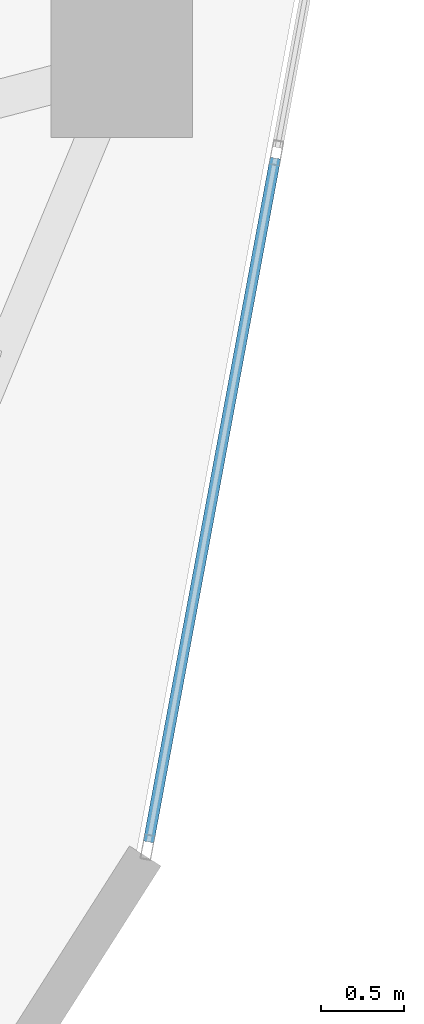
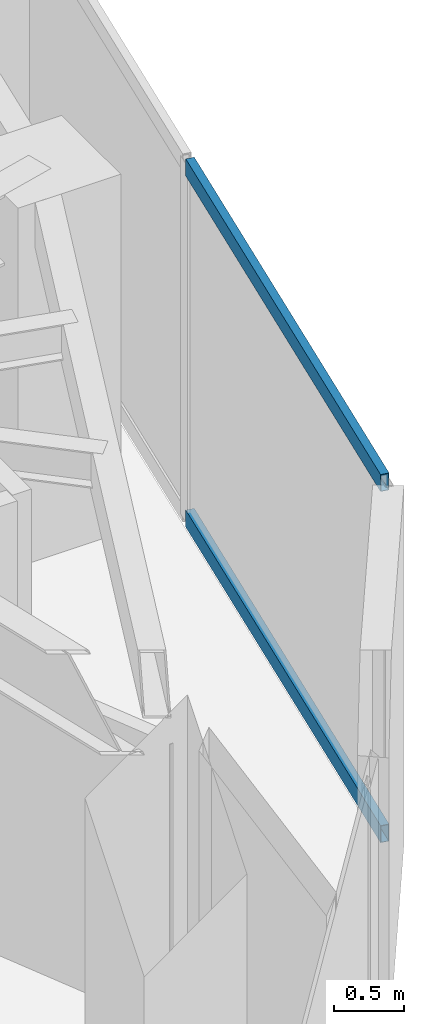
# One storey, part 7 of 19: 2 members, 1 element without a shape of its own.
"""IFC4 building model written with IfcOpenShell, lengths in metres."""

from ifc_helpers import new_model, si_unit, direction, frame, origin, origin_2d, place, context, subcontext, project, spatial, hollow_rectangle, extrude, source, transform, mapped, material, layer, layer_set, material_profile, profile_set, type_object, type_shapes, element, aggregate, save


model = new_model("IFC4")

# Units and contexts
model_context = context("Model", 3, precision=1e-05, world=origin(), true_north=direction((0.0, 1.0)))
body_context = subcontext(model_context, "Body", "Model", "MODEL_VIEW")
ifc_project = project(units=[si_unit("LENGTHUNIT", "METRE"), si_unit("AREAUNIT", "SQUARE_METRE"), si_unit("VOLUMEUNIT", "CUBIC_METRE"), si_unit("PLANEANGLEUNIT", "RADIAN"), si_unit("MASSUNIT", "GRAM", prefix="KILO")], contexts=[model_context])

# Site, building, storey
site_placement = place(None, origin())
site = spatial("IfcSite", under=ifc_project, at=site_placement, CompositionType="ELEMENT")
building_placement = place(site_placement, origin())
building = spatial("IfcBuilding", under=site, at=building_placement, Name="Talar Marvaseh", CompositionType="ELEMENT")
storey_placement = place(building_placement, frame((0.0, 0.0, 240.800048828125)))
storey = spatial("IfcBuildingStorey", under=building, at=storey_placement, Name="L63", CompositionType="ELEMENT", Elevation=240.800048828125)

# Curtain wall, members
ifc_material = material(Name="Architectural Aluminium", Category="aluminium")
ifc_layer = layer(ifc_material, 0.179931640625)
ifc_layer_set = layer_set([ifc_layer], Name="Architectural Aluminium")
curtain_wall_type = type_object("IfcCurtainWallType", Name="Unitised High-Wind Sky Curtain Wall Z4", PredefinedType="NOTDEFINED", material=ifc_layer_set)
curtain_wall_placement = place(storey_placement, origin())
curtain_wall = element("IfcCurtainWall", 1, at=curtain_wall_placement, inside=storey, type_object=curtain_wall_type, Name="L63 Unitised High-Wind Sky Curtain Wall Z4", PredefinedType="NOTDEFINED")
ifc_material_profile = material_profile(ifc_material, hollow_rectangle(XDim=0.06494140625, YDim=0.14990234375, WallThickness=0.00390625, at=origin_2d()), Name="RHS150x65x4")
ifc_profile_set = profile_set([ifc_material_profile], Name="Architectural Aluminium")
member_type = type_object("IfcMemberType", Name="Unitised Curtain Wall Slim Transom RHS150x65x4", PredefinedType="USERDEFINED", material=ifc_profile_set)
shared_shape = source(origin(), body_context, "Body", "SweptSolid", [
    extrude(hollow_rectangle(XDim=0.06494140625, YDim=0.14990234375, WallThickness=0.00390625, at=origin_2d()), origin(), (0.0, 0.0, 1.0), 4.18896484375),
])
type_shapes(member_type, [shared_shape])
member_1_placement = place(storey_placement, frame((38.122802734375, 25.9638671875, 0.032470703125), z_axis=(-0.182366830482, -0.983230562554, 0.0), x_axis=(0.983230562554, -0.182366830482, 0.0)))
member_1 = element("IfcMember", 2, at=member_1_placement, type_object=member_type, Name="CW-Z4 transom 4.1", ObjectType="TRANSOM", PredefinedType="USERDEFINED", context=body_context, shape_type="MappedRepresentation", body=[
    mapped(shared_shape, transform((0.0, 0.0, 0.0), x_axis=(1.0, 0.0, 0.0), y_axis=(0.0, 1.0, 0.0), z_axis=(0.0, 0.0, 1.0), scale=1.0)),
])
member_2_placement = place(storey_placement, frame((38.122802734375, 25.9638671875, 3.107421875), z_axis=(-0.182366830482, -0.983230562554, 0.0), x_axis=(0.983230562554, -0.182366830482, 0.0)))
member_2 = element("IfcMember", 3, at=member_2_placement, type_object=member_type, Name="CW-Z4 transom 4.2", ObjectType="TRANSOM", PredefinedType="USERDEFINED", context=body_context, shape_type="MappedRepresentation", body=[
    mapped(shared_shape, transform((0.0, 0.0, 0.0), x_axis=(1.0, 0.0, 0.0), y_axis=(0.0, 1.0, 0.0), z_axis=(0.0, 0.0, 1.0), scale=1.0)),
])
aggregate(curtain_wall, [member_1, member_2])

save(model, "model.ifc")
